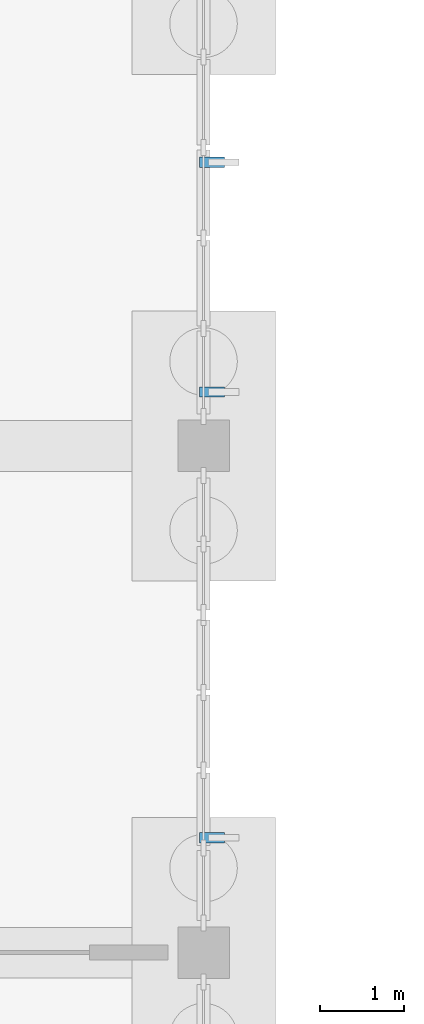
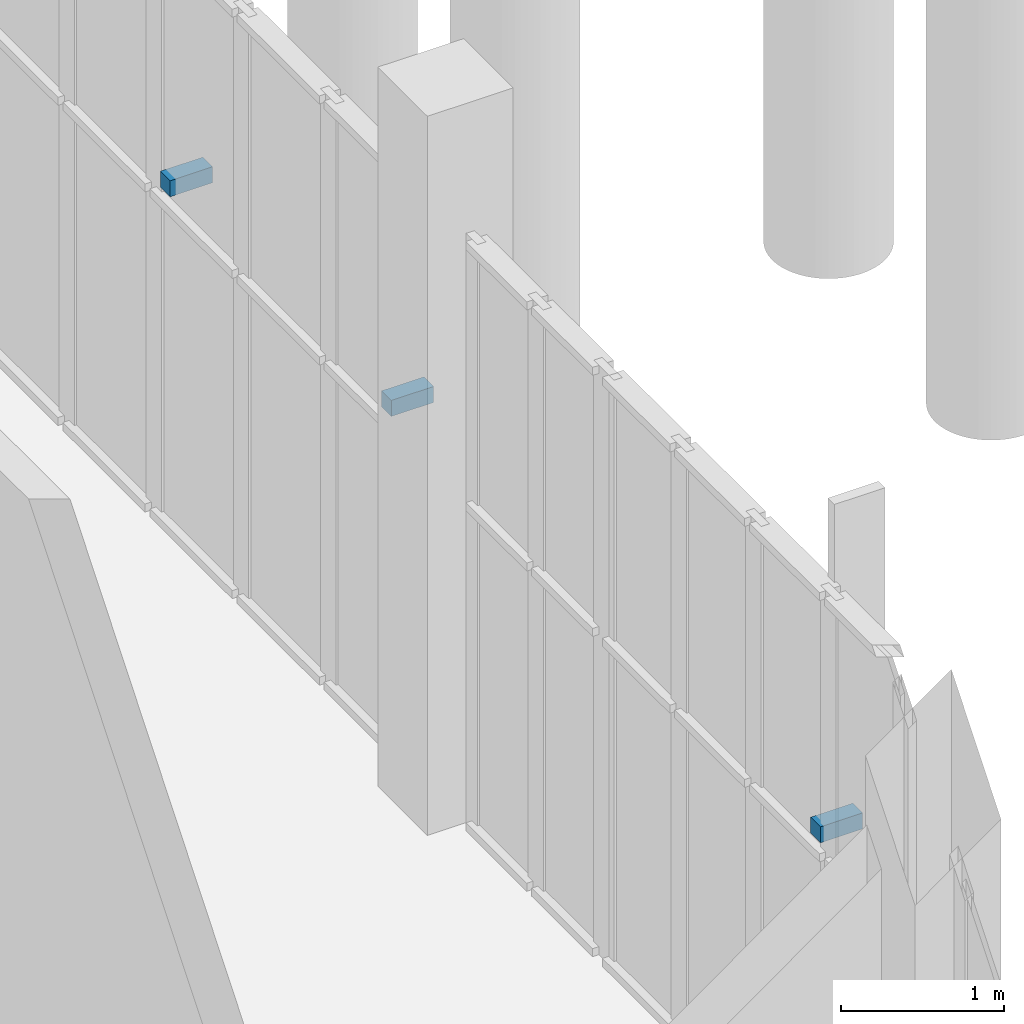
# One storey, part 57 of 69: 3 discrete accessories.
"""IFC4 building model written with IfcOpenShell, lengths in metres."""

from ifc_helpers import new_model, si_unit, direction, frame, origin, origin_2d, place, context, subcontext, project, spatial, rectangle, extrude, material, type_object, element, save


model = new_model("IFC4")

# Units and contexts
model_context = context("Model", 3, precision=1e-05, world=origin(), true_north=direction((0.0, 1.0)))
body_context = subcontext(model_context, "Body", "Model", "MODEL_VIEW")
ifc_project = project(units=[si_unit("LENGTHUNIT", "METRE"), si_unit("AREAUNIT", "SQUARE_METRE"), si_unit("VOLUMEUNIT", "CUBIC_METRE"), si_unit("PLANEANGLEUNIT", "RADIAN"), si_unit("MASSUNIT", "GRAM", prefix="KILO")], contexts=[model_context])

# Site, building, storey
site_placement = place(None, origin())
site = spatial("IfcSite", under=ifc_project, at=site_placement, CompositionType="ELEMENT")
building_placement = place(site_placement, origin())
building = spatial("IfcBuilding", under=site, at=building_placement, Name="Solvane Community Centre", CompositionType="ELEMENT")
storey_placement = place(building_placement, origin())
storey = spatial("IfcBuildingStorey", under=building, at=storey_placement, Name="L00", CompositionType="ELEMENT", Elevation=0.0)

# Discrete accessories
ifc_material = material(Name="Steel ASTM A572 Grade 50", Category="steel")
discrete_accessory_type = type_object("IfcDiscreteAccessoryType", Name="Fin Mounting Bracket 120x120", PredefinedType="BRACKET", material=ifc_material)
for number, where, z_axis, x_axis, name in (
    (1, (68.10009765625, 75.360107421875, 2.52001953125), (0.0, 0.0, 1.0), (0.0, -1.0, 0.0), "Fin Bracket 13"),
    (2, (68.10009765625, 72.639892578125, 2.52001953125), (0.0, 0.0, 1.0), (0.0, -1.0, 0.0), "Fin Bracket 14"),
    (3, (68.10009765625, 67.360107421875, 2.52001953125), (0.0, 0.0, 1.0), (0.0, -1.0, 0.0), "Fin Bracket 15"),
):
    element("IfcDiscreteAccessory", number, at=place(storey_placement, frame(where, z_axis=z_axis, x_axis=x_axis)), inside=storey, type_object=discrete_accessory_type, Name=name, PredefinedType="BRACKET", context=body_context, shape_type="SweptSolid", body=[
        extrude(rectangle(XDim=0.1201171875, YDim=0.300048828125, at=origin_2d()), origin(), (0.0, 0.0, 1.0), 0.1201171875),
    ])

save(model, "model.ifc")
